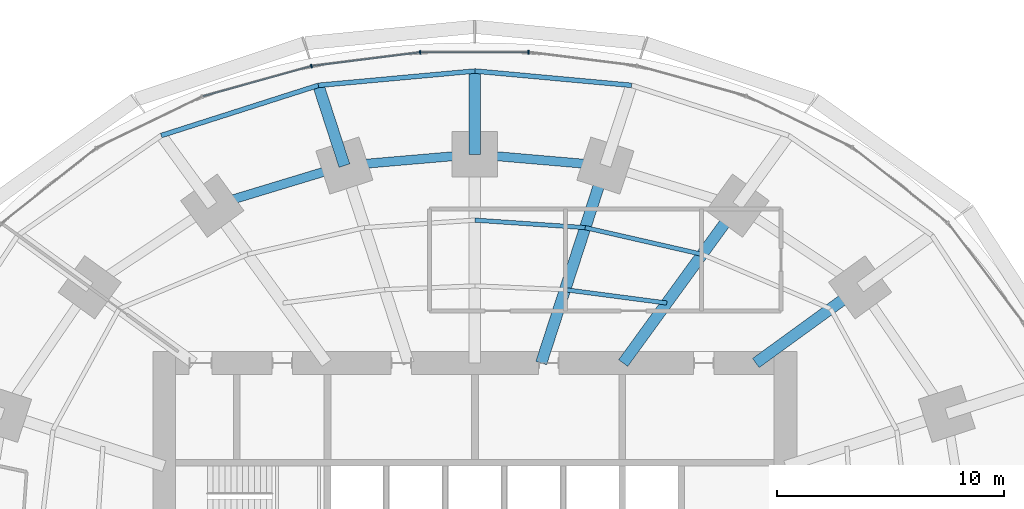
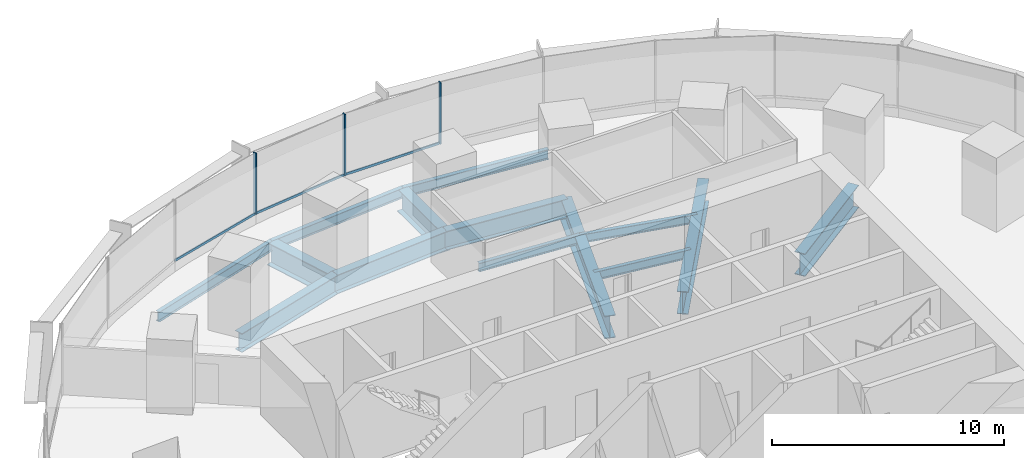
# One storey, part 8 of 15: 14 beams, 6 members, 1 element without a shape of its own.
"""IFC4 building model written with IfcOpenShell, lengths in metres."""

import ifcopenshell
import ifcopenshell.guid

model = None  # the IFC model being written
_history = None  # IfcOwnerHistory: only IFC2X3 demands one
_inside = {}  # id of a spatial element -> (the spatial element, [elements in it])
_under = {}  # id of a project, library or spatial element -> (it, [spatial elements below it])
_declared = {}  # id of a project -> (the project, [libraries it declares])
_typed = {}  # id of a type object -> (the type object, [elements of that type])
_made_of = {}  # id of a material, layer set ... -> (it, [elements and type objects made of it])


def new_model(schema):
    """Start an empty IFC model of exactly this schema.

    Asked for "IFC4X3", IfcOpenShell would pick the latest addendum, in which some entities
    have other attributes; the version numbers below select the first issue.
    IFC2X3 requires an IfcOwnerHistory on every rooted entity: one is made here for all.
    """
    global model, _history
    if schema == "IFC4X3":
        model = ifcopenshell.file(schema_version=(4, 3, 0, 0))
    else:
        model = ifcopenshell.file(schema=schema)
    _inside.clear()
    _under.clear()
    _declared.clear()
    _typed.clear()
    _made_of.clear()
    _history = None
    if model.schema == "IFC2X3":
        org = make("IfcOrganization", Name="unknown")
        user = make(
            "IfcPersonAndOrganization",
            ThePerson=make("IfcPerson", FamilyName="unknown"),
            TheOrganization=org,
        )
        app = make(
            "IfcApplication",
            ApplicationDeveloper=org,
            Version="unknown",
            ApplicationFullName="unknown",
            ApplicationIdentifier="unknown",
        )
        _history = make(
            "IfcOwnerHistory",
            OwningUser=user,
            OwningApplication=app,
            ChangeAction="ADDED",
            CreationDate=0,
        )
    return model


def make(cls, **values):
    """One entity of the class cls with the attributes given. An attribute that is None is left unset."""
    return model.create_entity(
        cls, **{name: value for name, value in values.items() if value is not None}
    )


def rooted(cls, **values):
    """An entity with a GlobalId (a new one), such as an element, a storey or a relation."""
    return make(cls, GlobalId=ifcopenshell.guid.new(), OwnerHistory=_history, **values)


def si_unit(unit_type, name, prefix=None):
    """IfcSIUnit, for example si_unit("LENGTHUNIT", "METRE", prefix="MILLI")."""
    return make("IfcSIUnit", UnitType=unit_type, Prefix=prefix, Name=name)


def assignment(units):
    """IfcUnitAssignment: the units of a project."""
    return None if units is None else make("IfcUnitAssignment", Units=units)


def point(xyz):
    """IfcCartesianPoint."""
    return None if xyz is None else make("IfcCartesianPoint", Coordinates=xyz)


def direction(xyz):
    """IfcDirection."""
    return None if xyz is None else make("IfcDirection", DirectionRatios=xyz)


def frame(location, z_axis=None, x_axis=None):
    """IfcAxis2Placement3D, a coordinate frame: its origin and axes. An axis left out is left unset."""
    return make(
        "IfcAxis2Placement3D",
        Location=point(location),
        Axis=direction(z_axis),
        RefDirection=direction(x_axis),
    )


def frame_2d(location, x_axis=None):
    """IfcAxis2Placement2D, a coordinate frame in the plane: its origin and x axis."""
    return make(
        "IfcAxis2Placement2D", Location=point(location), RefDirection=direction(x_axis)
    )


def origin():
    """The frame at (0, 0, 0) with its axes left unset."""
    return frame((0.0, 0.0, 0.0))


def origin_2d():
    """The frame at (0, 0) in the plane with its x axis left unset."""
    return frame_2d((0.0, 0.0))


def place(relative_to, where):
    """IfcLocalPlacement: puts the frame where relative to a parent placement (None: the world)."""
    return make(
        "IfcLocalPlacement", PlacementRelTo=relative_to, RelativePlacement=where
    )


def context(
    kind, dimensions, precision=None, world=None, true_north=None, identifier=None
):
    """IfcGeometricRepresentationContext, for example the 3D "Model" context."""
    return make(
        "IfcGeometricRepresentationContext",
        ContextIdentifier=identifier,
        ContextType=kind,
        CoordinateSpaceDimension=dimensions,
        Precision=precision,
        WorldCoordinateSystem=world,
        TrueNorth=true_north,
    )


def subcontext(parent, identifier, kind, view, scale=None):
    """IfcGeometricRepresentationSubContext, for example "Body" below "Model"."""
    return make(
        "IfcGeometricRepresentationSubContext",
        ContextIdentifier=identifier,
        ContextType=kind,
        ParentContext=parent,
        TargetScale=scale,
        TargetView=view,
    )


def project(units=None, contexts=None):
    """IfcProject with its units and contexts."""
    return rooted(
        "IfcProject",
        Name="project",
        RepresentationContexts=contexts,
        UnitsInContext=assignment(units),
    )


def spatial(cls, under=None, at=None, **own):
    """A site, building, storey or space (cls), placed at a placement, below another one or the project."""
    s = rooted(cls, ObjectPlacement=at, **own)
    if under is not None:
        _under.setdefault(under.id(), (under, []))[1].append(s)
    return s


def profile(cls, at=None, kind="AREA", **sizes):
    """A parametric profile (cls). Its sizes go by their IFC names, for example OverallWidth=200.0."""
    return make(cls, ProfileType=kind, Position=at, **sizes)


def rectangle(**sizes):
    """IfcRectangleProfileDef."""
    return profile("IfcRectangleProfileDef", **sizes)


def i_section(**sizes):
    """IfcIShapeProfileDef."""
    return profile("IfcIShapeProfileDef", **sizes)


def extrude(swept, where, along, depth):
    """IfcExtrudedAreaSolid: the profile swept, set in the frame where, extruded along a direction by depth."""
    return make(
        "IfcExtrudedAreaSolid",
        SweptArea=swept,
        Position=where,
        ExtrudedDirection=direction(along),
        Depth=depth,
    )


def shape(context_of_items, identifier, shape_type, items):
    """IfcShapeRepresentation: the items that make up one representation, for example the "Body"."""
    return make(
        "IfcShapeRepresentation",
        ContextOfItems=context_of_items,
        RepresentationIdentifier=identifier,
        RepresentationType=shape_type,
        Items=items,
    )


def material(Name=None, Category=None):
    """IfcMaterial."""
    return make("IfcMaterial", Name=Name, Category=Category)


def material_profile(
    of_material, cross_section, Name=None, Category=None, Priority=None
):
    """IfcMaterialProfile: a cross section and its material."""
    return make(
        "IfcMaterialProfile",
        Name=Name,
        Material=of_material,
        Profile=cross_section,
        Priority=Priority,
        Category=Category,
    )


def profile_set(profiles, Name=None, composite=None):
    """IfcMaterialProfileSet."""
    return make(
        "IfcMaterialProfileSet",
        Name=Name,
        MaterialProfiles=profiles,
        CompositeProfile=composite,
    )


def made_of(thing, what):
    """Note that an element or type object is made of a material, layer set ...; save() writes the relation."""
    if what is not None:
        _made_of.setdefault(what.id(), (what, []))[1].append(thing)
    return thing


def type_object(cls, material=None, **own):
    """A type object (cls), such as IfcWallType, which elements share."""
    return made_of(rooted(cls, **own), material)


def element(
    cls,
    number,
    at=None,
    inside=None,
    cuts=None,
    type_object=None,
    material=None,
    context=None,
    identifier="Body",
    shape_type=None,
    held_by="IfcProductDefinitionShape",
    body=None,
    shapes=None,
    **own,
):
    """One element of the class cls, such as IfcWall. Its Tag is "e" and its number.

    at: its placement. inside: the storey or other place that contains it. cuts: it is an
    opening in that element (IfcRelVoidsElement). A single representation is given by context,
    identifier, shape_type and body (its items); several are given by shapes. held_by: the class
    of the entity that holds the representations. save() writes the other relations.
    """
    e = rooted(cls, Tag="e%d" % number, ObjectPlacement=at, **own)
    if body is not None:
        shapes = [shape(context, identifier, shape_type, body)]
    if shapes is not None:
        e.Representation = make(held_by, Representations=shapes)
    if inside is not None:
        _inside.setdefault(inside.id(), (inside, []))[1].append(e)
    if cuts is not None:
        rooted(
            "IfcRelVoidsElement", RelatingBuildingElement=cuts, RelatedOpeningElement=e
        )
    if type_object is not None:
        _typed.setdefault(type_object.id(), (type_object, []))[1].append(e)
    return made_of(e, material)


def aggregate(whole, parts):
    """IfcRelAggregates: a whole, such as a stair, and the parts it consists of."""
    return rooted("IfcRelAggregates", RelatingObject=whole, RelatedObjects=parts)


def save(model, path):
    """Write the relations noted so far, then the file.

    IfcRelAggregates (storeys below a building ...), IfcRelContainedInSpatialStructure (elements
    in a storey), IfcRelDefinesByType, IfcRelAssociatesMaterial and IfcRelDeclares: one each for
    every whole, place, type object, material and project.
    """
    for whole, parts in _under.values():
        aggregate(whole, parts)
    for where, things in _inside.values():
        rooted(
            "IfcRelContainedInSpatialStructure",
            RelatedElements=things,
            RelatingStructure=where,
        )
    for kind, things in _typed.values():
        rooted("IfcRelDefinesByType", RelatedObjects=things, RelatingType=kind)
    for what, things in _made_of.values():
        rooted("IfcRelAssociatesMaterial", RelatedObjects=things, RelatingMaterial=what)
    for by, libraries in _declared.values():
        rooted("IfcRelDeclares", RelatingContext=by, RelatedDefinitions=libraries)
    model.write(path)


model = new_model("IFC4")

# Units and contexts
model_context = context("Model", 3, precision=1e-05, world=origin(), true_north=direction((0.0, 1.0)))
body_context = subcontext(model_context, "Body", "Model", "MODEL_VIEW")
ifc_project = project(units=[si_unit("LENGTHUNIT", "METRE"), si_unit("AREAUNIT", "SQUARE_METRE"), si_unit("VOLUMEUNIT", "CUBIC_METRE"), si_unit("PLANEANGLEUNIT", "RADIAN"), si_unit("MASSUNIT", "GRAM", prefix="KILO")], contexts=[model_context])

# Site, building, storey
site_placement = place(None, origin())
site = spatial("IfcSite", under=ifc_project, at=site_placement, CompositionType="ELEMENT")
building_placement = place(site_placement, origin())
building = spatial("IfcBuilding", under=site, at=building_placement, Name="Marramba Exchange Tower", CompositionType="ELEMENT")
storey_placement = place(building_placement, frame((0.0, 0.0, 57.39990234375)))
storey = spatial("IfcBuildingStorey", under=building, at=storey_placement, Name="L13", CompositionType="ELEMENT", Elevation=57.39990234375)

# Beams
ifc_material_1 = material(Name="Steel AS/NZS 3679.2 grade 300", Category="steel")
ifc_material_profile_1 = material_profile(ifc_material_1, i_section(OverallWidth=0.5, OverallDepth=1.199951171875, WebThickness=0.01611328125, FlangeThickness=0.0400390625, at=origin_2d()), Name="1200WB455")
ifc_profile_set_1 = profile_set([ifc_material_profile_1], Name="Steel AS/NZS 3679.2 grade 300")
beam_type_1 = type_object("IfcBeamType", Name="Cantilever girder 1200WB455", PredefinedType="BEAM", material=ifc_profile_set_1)
beam_1_placement = place(storey_placement, frame((0.0, 18.2041015625, -0.760009765625), z_axis=(0.0, 1.0, 0.0), x_axis=(-1.0, 0.0, 0.0)))
element("IfcBeam", 1, at=beam_1_placement, inside=storey, type_object=beam_type_1, Name="Cantilever girder L13 TC06", PredefinedType="BEAM", context=body_context, shape_type="SweptSolid", body=[
    extrude(i_section(OverallWidth=0.5, OverallDepth=1.199951171875, WebThickness=0.01611328125, FlangeThickness=0.0400390625, at=origin_2d()), origin(), (0.0, 0.0, 1.0), 3.673828125),
])
beam_2_placement = place(storey_placement, frame((-5.75390625, 17.70849609375, -0.760009765625), z_axis=(-0.308973290646, 0.951070715387, 0.0), x_axis=(-0.951070715387, -0.308973290646, 0.0)))
element("IfcBeam", 2, at=beam_2_placement, inside=storey, type_object=beam_type_1, Name="Cantilever girder L13 TC07", PredefinedType="BEAM", context=body_context, shape_type="SweptSolid", body=[
    extrude(i_section(OverallWidth=0.5, OverallDepth=1.199951171875, WebThickness=0.01611328125, FlangeThickness=0.0400390625, at=origin_2d()), origin(), (0.0, 0.0, 1.0), 3.72021484375),
])
ifc_material_2 = material(Name="Steel AS/NZS 3679.1 grade 300", Category="steel")
ifc_material_profile_2 = material_profile(ifc_material_2, i_section(OverallWidth=0.18994140625, OverallDepth=0.4541015625, WebThickness=0.008544921875, FlangeThickness=0.0126953125, FilletRadius=0.011474609375, at=origin_2d()), Name="460UB67.1")
ifc_profile_set_2 = profile_set([ifc_material_profile_2], Name="Steel AS/NZS 3679.1 grade 300")
beam_type_2 = type_object("IfcBeamType", Name="Floor joist 460UB67.1", PredefinedType="JOIST", material=ifc_profile_set_2)
beam_3_placement = place(storey_placement, frame((8.4619140625, 11.646728515625, -0.386962890625), z_axis=(-0.991480538255, 0.130254912618, 0.0), x_axis=(-0.130254912618, -0.991480538255, 0.0)))
element("IfcBeam", 3, at=beam_3_placement, inside=storey, type_object=beam_type_2, Name="Joist L13 bay 04 row 1", PredefinedType="JOIST", context=body_context, shape_type="SweptSolid", body=[
    extrude(i_section(OverallWidth=0.18994140625, OverallDepth=0.4541015625, WebThickness=0.008544921875, FlangeThickness=0.0126953125, FilletRadius=0.011474609375, at=origin_2d()), origin(), (0.0, 0.0, 1.0), 4.524658203125),
])
beam_4_placement = place(storey_placement, frame((10.021728515625, 13.793701171875, -0.386962890625), z_axis=(-0.974859652292, 0.222819788916, 0.0), x_axis=(-0.222819788916, -0.974859652292, 0.0)))
element("IfcBeam", 4, at=beam_4_placement, inside=storey, type_object=beam_type_2, Name="Joist L13 bay 04 row 2", PredefinedType="JOIST", context=body_context, shape_type="SweptSolid", body=[
    extrude(i_section(OverallWidth=0.18994140625, OverallDepth=0.4541015625, WebThickness=0.008544921875, FlangeThickness=0.0126953125, FilletRadius=0.011474609375, at=origin_2d()), origin(), (0.0, 0.0, 1.0), 5.2900390625),
])
beam_5_placement = place(storey_placement, frame((4.86474609375, 14.972412109375, -0.386962890625), z_axis=(-0.997702652202, 0.067745241816, 0.0), x_axis=(-0.067745241816, -0.997702652202, 0.0)))
element("IfcBeam", 5, at=beam_5_placement, inside=storey, type_object=beam_type_2, Name="Joist L13 bay 05 row 2", PredefinedType="JOIST", context=body_context, shape_type="SweptSolid", body=[
    extrude(i_section(OverallWidth=0.18994140625, OverallDepth=0.4541015625, WebThickness=0.008544921875, FlangeThickness=0.0126953125, FilletRadius=0.011474609375, at=origin_2d()), origin(), (0.0, 0.0, 1.0), 4.8759765625),
])
ifc_material_profile_3 = material_profile(ifc_material_1, i_section(OverallWidth=0.5, OverallDepth=1.199951171875, WebThickness=0.01611328125, FlangeThickness=0.0400390625, at=origin_2d()), Name="1200WB455")
ifc_profile_set_3 = profile_set([ifc_material_profile_3], Name="Steel AS/NZS 3679.2 grade 300")
beam_type_3 = type_object("IfcBeamType", Name="Radial girder 1200WB455", PredefinedType="BEAM", material=ifc_profile_set_3)
beam_6_placement = place(storey_placement, frame((12.387451171875, 9.0, -0.760009765625), z_axis=(0.809025746925, 0.587773205252, 0.0), x_axis=(-0.587773205252, 0.809025746925, 0.0)))
element("IfcBeam", 6, at=beam_6_placement, inside=storey, type_object=beam_type_3, Name="Radial girder L13 TC03", PredefinedType="BEAM", context=body_context, shape_type="SweptSolid", body=[
    extrude(i_section(OverallWidth=0.5, OverallDepth=1.199951171875, WebThickness=0.01611328125, FlangeThickness=0.0400390625, at=origin_2d()), origin(), (0.0, 0.0, 1.0), 5.683837890625),
])
beam_7_placement = place(storey_placement, frame((6.538818359375, 9.0, -0.760009765625), z_axis=(0.587782439969, 0.80901903764, 0.0), x_axis=(-0.80901903764, 0.587782439969, 0.0)))
element("IfcBeam", 7, at=beam_7_placement, inside=storey, type_object=beam_type_3, Name="Radial girder L13 TC04", PredefinedType="BEAM", context=body_context, shape_type="SweptSolid", body=[
    extrude(i_section(OverallWidth=0.5, OverallDepth=1.199951171875, WebThickness=0.01611328125, FlangeThickness=0.0400390625, at=origin_2d()), origin(), (0.0, 0.0, 1.0), 8.578857421875),
])
beam_8_placement = place(storey_placement, frame((2.92431640625, 9.0, -0.760009765625), z_axis=(0.309019754162, 0.951055619582, 0.0), x_axis=(-0.951055619582, 0.309019754162, 0.0)))
element("IfcBeam", 8, at=beam_8_placement, inside=storey, type_object=beam_type_3, Name="Radial girder L13 TC05", PredefinedType="BEAM", context=body_context, shape_type="SweptSolid", body=[
    extrude(i_section(OverallWidth=0.5, OverallDepth=1.199951171875, WebThickness=0.01611328125, FlangeThickness=0.0400390625, at=origin_2d()), origin(), (0.0, 0.0, 1.0), 9.15673828125),
])
ifc_material_profile_4 = material_profile(ifc_material_1, i_section(OverallWidth=0.39990234375, OverallDepth=1.0, WebThickness=0.01611328125, FlangeThickness=0.031982421875, at=origin_2d()), Name="1000WB322")
ifc_profile_set_4 = profile_set([ifc_material_profile_4], Name="Steel AS/NZS 3679.2 grade 300")
beam_type_4 = type_object("IfcBeamType", Name="Ring beam 1000WB322", PredefinedType="SPANDREL", material=ifc_profile_set_4)
for number, where, z_axis, x_axis, name in (
    (9, (5.75390625, 17.70849609375, -0.659912109375), (-0.996311003275, 0.085815993578, 0.0), (-0.085815993578, -0.996311003275, 0.0), "Ring beam L13 TC05-TC06"),
    (10, (0.0, 18.2041015625, -0.659912109375), (-0.996311003275, -0.085815993578, 0.0), (0.085815993578, -0.996311003275, 0.0), "Ring beam L13 TC06-TC07"),
):
    element("IfcBeam", number, at=place(storey_placement, frame(where, z_axis=z_axis, x_axis=x_axis)), inside=storey, type_object=beam_type_4, Name=name, PredefinedType="SPANDREL", context=body_context, shape_type="SweptSolid", body=[
        extrude(i_section(OverallWidth=0.39990234375, OverallDepth=1.0, WebThickness=0.01611328125, FlangeThickness=0.031982421875, at=origin_2d()), origin(), (0.0, 0.0, 1.0), 5.775146484375),
    ])
beam_9_placement = place(storey_placement, frame((-5.75390625, 17.70849609375, -0.659912109375), z_axis=(-0.956924542524, -0.290336735387, 0.0), x_axis=(0.290336735387, -0.956924542524, 0.0)))
element("IfcBeam", 11, at=beam_9_placement, inside=storey, type_object=beam_type_4, Name="Ring beam L13 TC07-TC08", PredefinedType="SPANDREL", context=body_context, shape_type="SweptSolid", body=[
    extrude(i_section(OverallWidth=0.39990234375, OverallDepth=1.0, WebThickness=0.01611328125, FlangeThickness=0.031982421875, at=origin_2d()), origin(), (0.0, 0.0, 1.0), 6.089599609375),
])
ifc_material_profile_5 = material_profile(ifc_material_2, i_section(OverallWidth=0.208984375, OverallDepth=0.528076171875, WebThickness=0.009521484375, FlangeThickness=0.01318359375, FilletRadius=0.013916015625, at=origin_2d()), Name="530UB82.0")
ifc_profile_set_5 = profile_set([ifc_material_profile_5], Name="Steel AS/NZS 3679.1 grade 300")
beam_type_5 = type_object("IfcBeamType", Name="Slab edge beam 530UB82.0", PredefinedType="SPANDREL", material=ifc_profile_set_5)
for number, where, z_axis, x_axis, name in (
    (12, (6.9033203125, 21.24658203125, -0.423828125), (-0.995843984921, 0.091075560369, 0.0), (-0.091075560369, -0.995843984921, 0.0), "Slab edge beam L13 TC05-TC06"),
    (13, (0.0, 21.8779296875, -0.423828125), (-0.995843984921, -0.091075560369, 0.0), (0.091075560369, -0.995843984921, 0.0), "Slab edge beam L13 TC06-TC07"),
):
    element("IfcBeam", number, at=place(storey_placement, frame(where, z_axis=z_axis, x_axis=x_axis)), inside=storey, type_object=beam_type_5, Name=name, PredefinedType="SPANDREL", context=body_context, shape_type="SweptSolid", body=[
        extrude(i_section(OverallWidth=0.208984375, OverallDepth=0.528076171875, WebThickness=0.009521484375, FlangeThickness=0.01318359375, FilletRadius=0.013916015625, at=origin_2d()), origin(), (0.0, 0.0, 1.0), 6.93212890625),
    ])
beam_10_placement = place(storey_placement, frame((-6.9033203125, 21.24658203125, -0.423828125), z_axis=(-0.952577642997, -0.304295635957, 0.0), x_axis=(0.304295635957, -0.952577642997, 0.0)))
element("IfcBeam", 14, at=beam_10_placement, inside=storey, type_object=beam_type_5, Name="Slab edge beam L13 TC07-TC08", PredefinedType="SPANDREL", context=body_context, shape_type="SweptSolid", body=[
    extrude(i_section(OverallWidth=0.208984375, OverallDepth=0.528076171875, WebThickness=0.009521484375, FlangeThickness=0.01318359375, FilletRadius=0.013916015625, at=origin_2d()), origin(), (0.0, 0.0, 1.0), 7.2705078125),
])

# Curtain wall, members
ifc_material_3 = material(Name="Aluminium framing, bronze anodised", Category="aluminium")
curtain_wall_type = type_object("IfcCurtainWallType", Name="Trading floor ribbon curtain wall", PredefinedType="USERDEFINED", material=ifc_material_3)
curtain_wall_placement = place(storey_placement, origin())
curtain_wall = element("IfcCurtainWall", 15, at=curtain_wall_placement, inside=storey, type_object=curtain_wall_type, Name="Curtain wall CW3 L13 F06-F10", ObjectType="RIBBON CURTAIN WALL", PredefinedType="USERDEFINED")
ifc_material_4 = material(Name="Aluminium mullion, bronze anodised", Category="aluminium")
ifc_material_profile_6 = material_profile(ifc_material_4, rectangle(XDim=0.159912109375, YDim=0.06005859375, at=origin_2d()), Name="CW3 mullion 60x160")
ifc_profile_set_6 = profile_set([ifc_material_profile_6], Name="Aluminium mullion, bronze anodised")
member_type_1 = type_object("IfcMemberType", Name="Trading floor ribbon curtain wall mullion", PredefinedType="MULLION", material=ifc_profile_set_6)
member_1_placement = place(storey_placement, frame((2.3564453125, 22.7060546875, 0.800048828125), z_axis=(0.0, 0.0, 1.0), x_axis=(0.0, -1.0, 0.0)))
member_1 = element("IfcMember", 16, at=member_1_placement, type_object=member_type_1, Name="CW3 mullion 1", PredefinedType="MULLION", context=body_context, shape_type="SweptSolid", body=[
    extrude(rectangle(XDim=0.159912109375, YDim=0.06005859375, at=origin_2d()), origin(), (0.0, 0.0, 1.0), 3.239990234375),
])
member_2_placement = place(storey_placement, frame((-2.416259765625, 22.7021484375, 0.800048828125), z_axis=(0.0, 0.0, 1.0), x_axis=(0.124872723099, -0.992172768738, 0.0)))
member_2 = element("IfcMember", 17, at=member_2_placement, type_object=member_type_1, Name="CW3 mullion 1", PredefinedType="MULLION", context=body_context, shape_type="SweptSolid", body=[
    extrude(rectangle(XDim=0.159912109375, YDim=0.06005859375, at=origin_2d()), origin(), (0.0, 0.0, 1.0), 3.239990234375),
])
member_3_placement = place(storey_placement, frame((-7.21044921875, 22.094482421875, 0.800048828125), z_axis=(0.0, 0.0, 1.0), x_axis=(0.267808735815, -0.963472096649, 0.0)))
member_3 = element("IfcMember", 18, at=member_3_placement, type_object=member_type_1, Name="CW3 mullion 1", PredefinedType="MULLION", context=body_context, shape_type="SweptSolid", body=[
    extrude(rectangle(XDim=0.159912109375, YDim=0.06005859375, at=origin_2d()), origin(), (0.0, 0.0, 1.0), 3.239990234375),
])
ifc_material_5 = material(Name="Aluminium transom, bronze anodised", Category="aluminium")
ifc_material_profile_7 = material_profile(ifc_material_5, rectangle(XDim=0.06005859375, YDim=0.1201171875, at=origin_2d()), Name="CW3 transom 60x120")
ifc_profile_set_7 = profile_set([ifc_material_profile_7], Name="Aluminium transom, bronze anodised")
member_type_2 = type_object("IfcMemberType", Name="Trading floor ribbon curtain wall transom", PredefinedType="USERDEFINED", material=ifc_profile_set_7)
member_4_placement = place(storey_placement, frame((2.326416015625, 22.7060546875, 0.830078125), z_axis=(-1.0, 0.0, 0.0), x_axis=(0.0, -1.0, 0.0)))
member_4 = element("IfcMember", 19, at=member_4_placement, type_object=member_type_2, Name="CW3 sill transom", ObjectType="TRANSOM", PredefinedType="USERDEFINED", context=body_context, shape_type="SweptSolid", body=[
    extrude(rectangle(XDim=0.06005859375, YDim=0.1201171875, at=origin_2d()), origin(), (0.0, 0.0, 1.0), 4.712890625),
])
member_5_placement = place(storey_placement, frame((-2.446044921875, 22.698486328125, 0.830078125), z_axis=(-0.992174445211, -0.124859402009, 0.0), x_axis=(0.124859402009, -0.992174445211, 0.0)))
member_5 = element("IfcMember", 20, at=member_5_placement, type_object=member_type_2, Name="CW3 sill transom", ObjectType="TRANSOM", PredefinedType="USERDEFINED", context=body_context, shape_type="SweptSolid", body=[
    extrude(rectangle(XDim=0.06005859375, YDim=0.1201171875, at=origin_2d()), origin(), (0.0, 0.0, 1.0), 4.77294921875),
])
member_6_placement = place(storey_placement, frame((-7.2392578125, 22.08642578125, 0.830078125), z_axis=(-0.963472490071, -0.267807320431, 0.0), x_axis=(0.267807320431, -0.963472490071, 0.0)))
member_6 = element("IfcMember", 21, at=member_6_placement, type_object=member_type_2, Name="CW3 sill transom", ObjectType="TRANSOM", PredefinedType="USERDEFINED", context=body_context, shape_type="SweptSolid", body=[
    extrude(rectangle(XDim=0.06005859375, YDim=0.1201171875, at=origin_2d()), origin(), (0.0, 0.0, 1.0), 4.93017578125),
])
aggregate(curtain_wall, [member_1, member_4, member_2, member_5, member_3, member_6])

save(model, "model.ifc")
